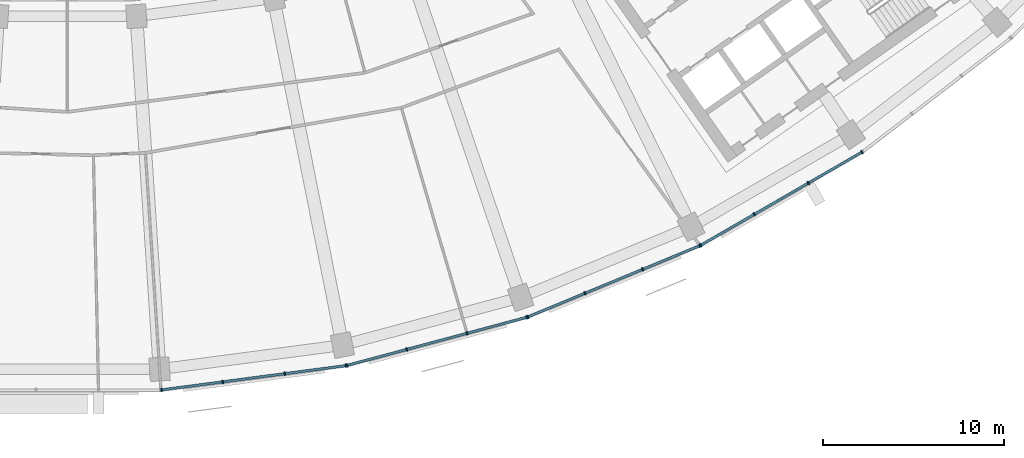
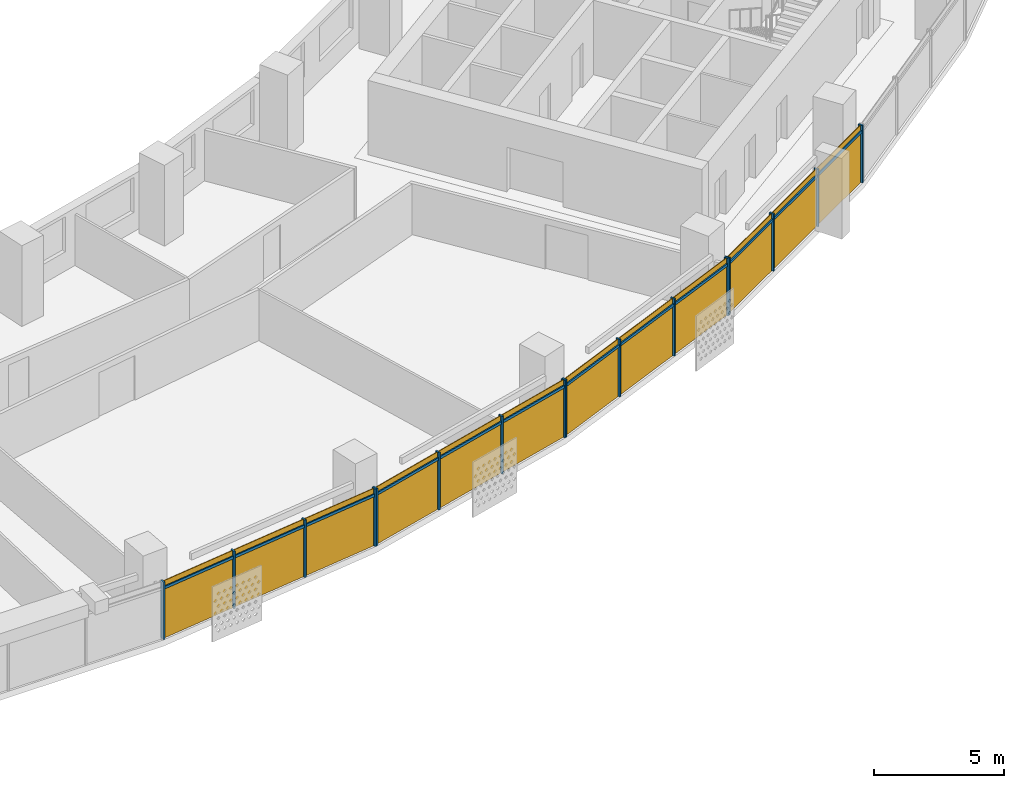
# One storey, part 20 of 27: 28 members, 4 curtain walls.
"""IFC4 building model written with IfcOpenShell, lengths in metres."""

from ifc_helpers import new_model, si_unit, direction, frame, origin, origin_2d, place, context, subcontext, project, spatial, rectangle, extrude, material, material_profile, profile_set, type_object, element, aggregate, save


model = new_model("IFC4")

# Units and contexts
model_context = context("Model", 3, precision=1e-05, world=origin(), true_north=direction((0.0, 1.0)))
body_context = subcontext(model_context, "Body", "Model", "MODEL_VIEW")
ifc_project = project(units=[si_unit("LENGTHUNIT", "METRE"), si_unit("AREAUNIT", "SQUARE_METRE"), si_unit("VOLUMEUNIT", "CUBIC_METRE"), si_unit("PLANEANGLEUNIT", "RADIAN"), si_unit("MASSUNIT", "GRAM", prefix="KILO")], contexts=[model_context])

# Member
ifc_material = material(Name="Aluminium 6063-T6 anodised", Category="aluminium")
ifc_material_profile_1 = material_profile(ifc_material, rectangle(XDim=0.199951171875, YDim=0.070068359375, at=origin_2d()))
ifc_profile_set_1 = profile_set([ifc_material_profile_1], Name="Aluminium 6063-T6 anodised")
member_type_1 = type_object("IfcMemberType", Name="Mullion 70 x 200 aluminium", PredefinedType="MULLION", material=ifc_profile_set_1)
site_placement = place(None, origin())
building_placement = place(site_placement, origin())
storey_placement = place(building_placement, frame((0.0, 0.0, 175.89990234375)))
member_1_placement = place(storey_placement, frame((5.1884765625, -78.72705078125, 0.0), z_axis=(0.0, 0.0, 1.0), x_axis=(-0.13052619222, 0.991444861374, 0.0)))
member_1 = element("IfcMember", 1, at=member_1_placement, type_object=member_type_1, Name="e-cw1-L41-out08/M00", PredefinedType="MULLION", context=body_context, shape_type="SweptSolid", body=[
    extrude(rectangle(XDim=0.199951171875, YDim=0.070068359375, at=origin_2d()), origin(), (0.0, 0.0, 1.0), 2.7001953125),
])

member_2_placement = place(storey_placement, frame((8.56884765625, -78.2822265625, 0.0), z_axis=(0.0, 0.0, 1.0), x_axis=(-0.13052619222, 0.991444861374, 0.0)))
member_2 = element("IfcMember", 2, at=member_2_placement, type_object=member_type_1, Name="e-cw1-L41-out08/M01", PredefinedType="MULLION", context=body_context, shape_type="SweptSolid", body=[
    extrude(rectangle(XDim=0.199951171875, YDim=0.070068359375, at=origin_2d()), origin(), (0.0, 0.0, 1.0), 2.7001953125),
])

member_3_placement = place(storey_placement, frame((11.98388671875, -77.83251953125, 0.0), z_axis=(0.0, 0.0, 1.0), x_axis=(-0.13052619222, 0.991444861374, 0.0)))
member_3 = element("IfcMember", 3, at=member_3_placement, type_object=member_type_1, Name="e-cw1-L41-out08/M02", PredefinedType="MULLION", context=body_context, shape_type="SweptSolid", body=[
    extrude(rectangle(XDim=0.199951171875, YDim=0.070068359375, at=origin_2d()), origin(), (0.0, 0.0, 1.0), 2.7001953125),
])

member_4_placement = place(storey_placement, frame((15.364501953125, -77.387451171875, 0.0), z_axis=(0.0, 0.0, 1.0), x_axis=(-0.13052619222, 0.991444861374, 0.0)))
member_4 = element("IfcMember", 4, at=member_4_placement, type_object=member_type_1, Name="e-cw1-L41-out08/M03", PredefinedType="MULLION", context=body_context, shape_type="SweptSolid", body=[
    extrude(rectangle(XDim=0.199951171875, YDim=0.070068359375, at=origin_2d()), origin(), (0.0, 0.0, 1.0), 2.7001953125),
])

member_5_placement = place(storey_placement, frame((15.420166015625, -77.37646484375, 0.0), z_axis=(0.0, 0.0, 1.0), x_axis=(-0.258819045103, 0.965925826289, 0.0)))
member_5 = element("IfcMember", 5, at=member_5_placement, type_object=member_type_1, Name="e-cw1-L41-out09/M00", PredefinedType="MULLION", context=body_context, shape_type="SweptSolid", body=[
    extrude(rectangle(XDim=0.199951171875, YDim=0.070068359375, at=origin_2d()), origin(), (0.0, 0.0, 1.0), 2.7001953125),
])

member_6_placement = place(storey_placement, frame((18.71337890625, -76.493896484375, 0.0), z_axis=(0.0, 0.0, 1.0), x_axis=(-0.258819045103, 0.965925826289, 0.0)))
member_6 = element("IfcMember", 6, at=member_6_placement, type_object=member_type_1, Name="e-cw1-L41-out09/M01", PredefinedType="MULLION", context=body_context, shape_type="SweptSolid", body=[
    extrude(rectangle(XDim=0.199951171875, YDim=0.070068359375, at=origin_2d()), origin(), (0.0, 0.0, 1.0), 2.7001953125),
])

member_7_placement = place(storey_placement, frame((22.04052734375, -75.602294921875, 0.0), z_axis=(0.0, 0.0, 1.0), x_axis=(-0.258819045103, 0.965925826289, 0.0)))
member_7 = element("IfcMember", 7, at=member_7_placement, type_object=member_type_1, Name="e-cw1-L41-out09/M02", PredefinedType="MULLION", context=body_context, shape_type="SweptSolid", body=[
    extrude(rectangle(XDim=0.199951171875, YDim=0.070068359375, at=origin_2d()), origin(), (0.0, 0.0, 1.0), 2.7001953125),
])

member_8_placement = place(storey_placement, frame((25.333984375, -74.719970703125, 0.0), z_axis=(0.0, 0.0, 1.0), x_axis=(-0.258819045103, 0.965925826289, 0.0)))
member_8 = element("IfcMember", 8, at=member_8_placement, type_object=member_type_1, Name="e-cw1-L41-out09/M03", PredefinedType="MULLION", context=body_context, shape_type="SweptSolid", body=[
    extrude(rectangle(XDim=0.199951171875, YDim=0.070068359375, at=origin_2d()), origin(), (0.0, 0.0, 1.0), 2.7001953125),
])

member_9_placement = place(storey_placement, frame((25.3876953125, -74.70166015625, 0.0), z_axis=(0.0, 0.0, 1.0), x_axis=(-0.382683432365, 0.923879532511, 0.0)))
member_9 = element("IfcMember", 9, at=member_9_placement, type_object=member_type_1, Name="e-cw1-L41-out10/M00", PredefinedType="MULLION", context=body_context, shape_type="SweptSolid", body=[
    extrude(rectangle(XDim=0.199951171875, YDim=0.070068359375, at=origin_2d()), origin(), (0.0, 0.0, 1.0), 2.7001953125),
])

member_10_placement = place(storey_placement, frame((28.537841796875, -73.39697265625, 0.0), z_axis=(0.0, 0.0, 1.0), x_axis=(-0.382683432365, 0.923879532511, 0.0)))
member_10 = element("IfcMember", 10, at=member_10_placement, type_object=member_type_1, Name="e-cw1-L41-out10/M01", PredefinedType="MULLION", context=body_context, shape_type="SweptSolid", body=[
    extrude(rectangle(XDim=0.199951171875, YDim=0.070068359375, at=origin_2d()), origin(), (0.0, 0.0, 1.0), 2.7001953125),
])

member_11_placement = place(storey_placement, frame((31.72021484375, -72.078857421875, 0.0), z_axis=(0.0, 0.0, 1.0), x_axis=(-0.382683432365, 0.923879532511, 0.0)))
member_11 = element("IfcMember", 11, at=member_11_placement, type_object=member_type_1, Name="e-cw1-L41-out10/M02", PredefinedType="MULLION", context=body_context, shape_type="SweptSolid", body=[
    extrude(rectangle(XDim=0.199951171875, YDim=0.070068359375, at=origin_2d()), origin(), (0.0, 0.0, 1.0), 2.7001953125),
])

member_12_placement = place(storey_placement, frame((34.8701171875, -70.77392578125, 0.0), z_axis=(0.0, 0.0, 1.0), x_axis=(-0.382683432365, 0.923879532511, 0.0)))
member_12 = element("IfcMember", 12, at=member_12_placement, type_object=member_type_1, Name="e-cw1-L41-out10/M03", PredefinedType="MULLION", context=body_context, shape_type="SweptSolid", body=[
    extrude(rectangle(XDim=0.199951171875, YDim=0.070068359375, at=origin_2d()), origin(), (0.0, 0.0, 1.0), 2.7001953125),
])

member_13_placement = place(storey_placement, frame((34.921142578125, -70.748779296875, 0.0), z_axis=(0.0, 0.0, 1.0), x_axis=(-0.5, 0.866025403784, 0.0)))
member_13 = element("IfcMember", 13, at=member_13_placement, type_object=member_type_1, Name="e-cw1-L41-out11/M00", PredefinedType="MULLION", context=body_context, shape_type="SweptSolid", body=[
    extrude(rectangle(XDim=0.199951171875, YDim=0.070068359375, at=origin_2d()), origin(), (0.0, 0.0, 1.0), 2.7001953125),
])

member_14_placement = place(storey_placement, frame((37.873779296875, -69.0439453125, 0.0), z_axis=(0.0, 0.0, 1.0), x_axis=(-0.5, 0.866025403784, 0.0)))
member_14 = element("IfcMember", 14, at=member_14_placement, type_object=member_type_1, Name="e-cw1-L41-out11/M01", PredefinedType="MULLION", context=body_context, shape_type="SweptSolid", body=[
    extrude(rectangle(XDim=0.199951171875, YDim=0.070068359375, at=origin_2d()), origin(), (0.0, 0.0, 1.0), 2.7001953125),
])

member_15_placement = place(storey_placement, frame((40.85693359375, -67.32177734375, 0.0), z_axis=(0.0, 0.0, 1.0), x_axis=(-0.5, 0.866025403784, 0.0)))
member_15 = element("IfcMember", 15, at=member_15_placement, type_object=member_type_1, Name="e-cw1-L41-out11/M02", PredefinedType="MULLION", context=body_context, shape_type="SweptSolid", body=[
    extrude(rectangle(XDim=0.199951171875, YDim=0.070068359375, at=origin_2d()), origin(), (0.0, 0.0, 1.0), 2.7001953125),
])

member_16_placement = place(storey_placement, frame((43.809814453125, -65.616943359375, 0.0), z_axis=(0.0, 0.0, 1.0), x_axis=(-0.5, 0.866025403784, 0.0)))
member_16 = element("IfcMember", 16, at=member_16_placement, type_object=member_type_1, Name="e-cw1-L41-out11/M03", PredefinedType="MULLION", context=body_context, shape_type="SweptSolid", body=[
    extrude(rectangle(XDim=0.199951171875, YDim=0.070068359375, at=origin_2d()), origin(), (0.0, 0.0, 1.0), 2.7001953125),
])

ifc_material_profile_2 = material_profile(ifc_material, rectangle(XDim=0.139892578125, YDim=0.1201171875, at=origin_2d()))
ifc_profile_set_2 = profile_set([ifc_material_profile_2], Name="Aluminium 6063-T6 anodised")
member_type_2 = type_object("IfcMemberType", Name="Transom 120 x 140 aluminium", PredefinedType="USERDEFINED", material=ifc_profile_set_2)
member_17_placement = place(storey_placement, frame((5.22314453125, -78.72265625, 2.400146484375), z_axis=(0.991439857731, 0.130564193033, 0.0), x_axis=(-0.130564193033, 0.991439857731, 0.0)))
member_17 = element("IfcMember", 17, at=member_17_placement, type_object=member_type_2, Name="e-cw1-L41-out08/T00", ObjectType="TRANSOM", PredefinedType="USERDEFINED", context=body_context, shape_type="SweptSolid", body=[
    extrude(rectangle(XDim=0.139892578125, YDim=0.1201171875, at=origin_2d()), origin(), (0.0, 0.0, 1.0), 3.339599609375),
])

member_18_placement = place(storey_placement, frame((8.603515625, -78.277587890625, 2.400146484375), z_axis=(0.991446413845, 0.130514399487, 0.0), x_axis=(-0.130514399487, 0.991446413845, 0.0)))
member_18 = element("IfcMember", 18, at=member_18_placement, type_object=member_type_2, Name="e-cw1-L41-out08/T01", ObjectType="TRANSOM", PredefinedType="USERDEFINED", context=body_context, shape_type="SweptSolid", body=[
    extrude(rectangle(XDim=0.139892578125, YDim=0.1201171875, at=origin_2d()), origin(), (0.0, 0.0, 1.0), 3.37451171875),
])

member_19_placement = place(storey_placement, frame((12.018798828125, -77.827880859375, 2.400146484375), z_axis=(0.991448073325, 0.130501792706, 0.0), x_axis=(-0.130501792706, 0.991448073325, 0.0)))
member_19 = element("IfcMember", 19, at=member_19_placement, type_object=member_type_2, Name="e-cw1-L41-out08/T02", ObjectType="TRANSOM", PredefinedType="USERDEFINED", context=body_context, shape_type="SweptSolid", body=[
    extrude(rectangle(XDim=0.139892578125, YDim=0.1201171875, at=origin_2d()), origin(), (0.0, 0.0, 1.0), 3.33935546875),
])

member_20_placement = place(storey_placement, frame((15.453857421875, -77.367431640625, 2.400146484375), z_axis=(0.96591509168, 0.258859103886, 0.0), x_axis=(-0.258859103886, 0.96591509168, 0.0)))
member_20 = element("IfcMember", 20, at=member_20_placement, type_object=member_type_2, Name="e-cw1-L41-out09/T00", ObjectType="TRANSOM", PredefinedType="USERDEFINED", context=body_context, shape_type="SweptSolid", body=[
    extrude(rectangle(XDim=0.139892578125, YDim=0.1201171875, at=origin_2d()), origin(), (0.0, 0.0, 1.0), 3.339599609375),
])

member_21_placement = place(storey_placement, frame((18.747314453125, -76.48486328125, 2.400146484375), z_axis=(0.965932873966, 0.258792741381, 0.0), x_axis=(-0.258792741381, 0.965932873966, 0.0)))
member_21 = element("IfcMember", 21, at=member_21_placement, type_object=member_type_2, Name="e-cw1-L41-out09/T01", ObjectType="TRANSOM", PredefinedType="USERDEFINED", context=body_context, shape_type="SweptSolid", body=[
    extrude(rectangle(XDim=0.139892578125, YDim=0.1201171875, at=origin_2d()), origin(), (0.0, 0.0, 1.0), 3.37451171875),
])

member_22_placement = place(storey_placement, frame((22.074462890625, -75.59326171875, 2.400146484375), z_axis=(0.965933368091, 0.258790897074, 0.0), x_axis=(-0.258790897074, 0.965933368091, 0.0)))
member_22 = element("IfcMember", 22, at=member_22_placement, type_object=member_type_2, Name="e-cw1-L41-out09/T02", ObjectType="TRANSOM", PredefinedType="USERDEFINED", context=body_context, shape_type="SweptSolid", body=[
    extrude(rectangle(XDim=0.139892578125, YDim=0.1201171875, at=origin_2d()), origin(), (0.0, 0.0, 1.0), 3.339599609375),
])

member_23_placement = place(storey_placement, frame((25.420166015625, -74.688232421875, 2.400146484375), z_axis=(0.923890305385, 0.382657423311, 0.0), x_axis=(-0.382657423311, 0.923890305385, 0.0)))
member_23 = element("IfcMember", 23, at=member_23_placement, type_object=member_type_2, Name="e-cw1-L41-out10/T00", ObjectType="TRANSOM", PredefinedType="USERDEFINED", context=body_context, shape_type="SweptSolid", body=[
    extrude(rectangle(XDim=0.139892578125, YDim=0.1201171875, at=origin_2d()), origin(), (0.0, 0.0, 1.0), 3.33935546875),
])

member_24_placement = place(storey_placement, frame((28.570068359375, -73.383544921875, 2.400146484375), z_axis=(0.923866926753, 0.382713863941, 0.0), x_axis=(-0.382713863941, 0.923866926753, 0.0)))
member_24 = element("IfcMember", 24, at=member_24_placement, type_object=member_type_2, Name="e-cw1-L41-out10/T01", ObjectType="TRANSOM", PredefinedType="USERDEFINED", context=body_context, shape_type="SweptSolid", body=[
    extrude(rectangle(XDim=0.139892578125, YDim=0.1201171875, at=origin_2d()), origin(), (0.0, 0.0, 1.0), 3.37451171875),
])

member_25_placement = place(storey_placement, frame((31.75244140625, -72.0654296875, 2.400146484375), z_axis=(0.923875164544, 0.382693977401, 0.0), x_axis=(-0.382693977401, 0.923875164544, 0.0)))
member_25 = element("IfcMember", 25, at=member_25_placement, type_object=member_type_2, Name="e-cw1-L41-out10/T02", ObjectType="TRANSOM", PredefinedType="USERDEFINED", context=body_context, shape_type="SweptSolid", body=[
    extrude(rectangle(XDim=0.139892578125, YDim=0.1201171875, at=origin_2d()), origin(), (0.0, 0.0, 1.0), 3.339599609375),
])

member_26_placement = place(storey_placement, frame((34.951416015625, -70.7314453125, 2.400146484375), z_axis=(0.866002968352, 0.500038857296, 0.0), x_axis=(-0.500038857296, 0.866002968352, 0.0)))
member_26 = element("IfcMember", 26, at=member_26_placement, type_object=member_type_2, Name="e-cw1-L41-out11/T00", ObjectType="TRANSOM", PredefinedType="USERDEFINED", context=body_context, shape_type="SweptSolid", body=[
    extrude(rectangle(XDim=0.139892578125, YDim=0.1201171875, at=origin_2d()), origin(), (0.0, 0.0, 1.0), 3.339599609375),
])

member_27_placement = place(storey_placement, frame((37.904296875, -69.026611328125, 2.400146484375), z_axis=(0.86602172966, 0.500006363716, 0.0), x_axis=(-0.500006363716, 0.86602172966, 0.0)))
member_27 = element("IfcMember", 27, at=member_27_placement, type_object=member_type_2, Name="e-cw1-L41-out11/T01", ObjectType="TRANSOM", PredefinedType="USERDEFINED", context=body_context, shape_type="SweptSolid", body=[
    extrude(rectangle(XDim=0.139892578125, YDim=0.1201171875, at=origin_2d()), origin(), (0.0, 0.0, 1.0), 3.37451171875),
])

member_28_placement = place(storey_placement, frame((40.88720703125, -67.30419921875, 2.400146484375), z_axis=(0.866052898888, 0.49995237406, 0.0), x_axis=(-0.49995237406, 0.866052898888, 0.0)))
member_28 = element("IfcMember", 28, at=member_28_placement, type_object=member_type_2, Name="e-cw1-L41-out11/T02", ObjectType="TRANSOM", PredefinedType="USERDEFINED", context=body_context, shape_type="SweptSolid", body=[
    extrude(rectangle(XDim=0.139892578125, YDim=0.1201171875, at=origin_2d()), origin(), (0.0, 0.0, 1.0), 3.339599609375),
])

# Site, building, storey
site = spatial("IfcSite", under=ifc_project, at=site_placement, CompositionType="ELEMENT")
building = spatial("IfcBuilding", under=site, at=building_placement, Name="Qamariyya Broadcast Tower", CompositionType="ELEMENT")
storey = spatial("IfcBuildingStorey", under=building, at=storey_placement, Name="L41", CompositionType="ELEMENT", Elevation=175.89990234375)

# Curtain wall
curtain_wall_type = type_object("IfcCurtainWallType", Name="Unitised curtain wall, anodised aluminium", PredefinedType="NOTDEFINED", material=ifc_material)
curtain_wall_1_placement = place(storey_placement, origin())
curtain_wall_1 = element("IfcCurtainWall", 29, at=curtain_wall_1_placement, inside=storey, type_object=curtain_wall_type, Name="e-cw1-L41-out08", PredefinedType="NOTDEFINED", context=body_context, shape_type="SweptSolid", body=[
    extrude(rectangle(XDim=3.339599609375, YDim=0.031982421875, at=origin_2d()), frame((6.878662109375, -78.504638671875, 0.0), x_axis=(0.991444240905, 0.130530905064, 0.0)), (0.0, 0.0, 1.0), 2.340087890625),
    extrude(rectangle(XDim=3.339599609375, YDim=0.031982421875, at=origin_2d()), frame((6.878662109375, -78.504638671875, 2.460205078125), x_axis=(0.991444240905, 0.130530905064, 0.0)), (0.0, 0.0, 1.0), 0.239990234375),
    extrude(rectangle(XDim=3.37451171875, YDim=0.031982421875, at=origin_2d()), frame((10.2763671875, -78.05712890625, 0.0), x_axis=(0.991444240905, 0.130530905064, 0.0)), (0.0, 0.0, 1.0), 2.340087890625),
    extrude(rectangle(XDim=3.37451171875, YDim=0.031982421875, at=origin_2d()), frame((10.2763671875, -78.05712890625, 2.460205078125), x_axis=(0.991444240905, 0.130530905064, 0.0)), (0.0, 0.0, 1.0), 0.239990234375),
    extrude(rectangle(XDim=3.339599609375, YDim=0.031982421875, at=origin_2d()), frame((13.67431640625, -77.60986328125, 0.0), x_axis=(0.991444240905, 0.130530905064, 0.0)), (0.0, 0.0, 1.0), 2.340087890625),
    extrude(rectangle(XDim=3.339599609375, YDim=0.031982421875, at=origin_2d()), frame((13.67431640625, -77.60986328125, 2.460205078125), x_axis=(0.991444240905, 0.130530905064, 0.0)), (0.0, 0.0, 1.0), 0.239990234375),
])

aggregate(curtain_wall_1, [member_1, member_2, member_3, member_4, member_17, member_18, member_19])

curtain_wall_2_placement = place(storey_placement, origin())
curtain_wall_2 = element("IfcCurtainWall", 30, at=curtain_wall_2_placement, inside=storey, type_object=curtain_wall_type, Name="e-cw1-L41-out09", PredefinedType="NOTDEFINED", context=body_context, shape_type="SweptSolid", body=[
    extrude(rectangle(XDim=3.339599609375, YDim=0.031982421875, at=origin_2d()), frame((17.066650390625, -76.935302734375, 0.0), x_axis=(0.965926433062, 0.258816780584, 0.0)), (0.0, 0.0, 1.0), 2.340087890625),
    extrude(rectangle(XDim=3.339599609375, YDim=0.031982421875, at=origin_2d()), frame((17.066650390625, -76.935302734375, 2.460205078125), x_axis=(0.965926433062, 0.258816780584, 0.0)), (0.0, 0.0, 1.0), 0.239990234375),
    extrude(rectangle(XDim=3.37451171875, YDim=0.031982421875, at=origin_2d()), frame((20.376953125, -76.04833984375, 0.0), x_axis=(0.965926433062, 0.258816780584, 0.0)), (0.0, 0.0, 1.0), 2.340087890625),
    extrude(rectangle(XDim=3.37451171875, YDim=0.031982421875, at=origin_2d()), frame((20.376953125, -76.04833984375, 2.460205078125), x_axis=(0.965926433062, 0.258816780584, 0.0)), (0.0, 0.0, 1.0), 0.239990234375),
    extrude(rectangle(XDim=3.339599609375, YDim=0.031982421875, at=origin_2d()), frame((23.6875, -75.1611328125, 0.0), x_axis=(0.965926433062, 0.258816780584, 0.0)), (0.0, 0.0, 1.0), 2.340087890625),
    extrude(rectangle(XDim=3.339599609375, YDim=0.031982421875, at=origin_2d()), frame((23.6875, -75.1611328125, 2.460205078125), x_axis=(0.965926433062, 0.258816780584, 0.0)), (0.0, 0.0, 1.0), 0.239990234375),
])

aggregate(curtain_wall_2, [member_5, member_6, member_7, member_8, member_20, member_21, member_22])

curtain_wall_3_placement = place(storey_placement, origin())
curtain_wall_3 = element("IfcCurtainWall", 31, at=curtain_wall_3_placement, inside=storey, type_object=curtain_wall_type, Name="e-cw1-L41-out10", PredefinedType="NOTDEFINED", context=body_context, shape_type="SweptSolid", body=[
    extrude(rectangle(XDim=3.339599609375, YDim=0.031982421875, at=origin_2d()), frame((26.962890625, -74.04931640625, 0.0), x_axis=(0.923878040314, 0.382687034829, 0.0)), (0.0, 0.0, 1.0), 2.340087890625),
    extrude(rectangle(XDim=3.339599609375, YDim=0.031982421875, at=origin_2d()), frame((26.962890625, -74.04931640625, 2.460205078125), x_axis=(0.923878040314, 0.382687034829, 0.0)), (0.0, 0.0, 1.0), 0.239990234375),
    extrude(rectangle(XDim=3.37451171875, YDim=0.031982421875, at=origin_2d()), frame((30.12890625, -72.73779296875, 0.0), x_axis=(0.923878040314, 0.382687034829, 0.0)), (0.0, 0.0, 1.0), 2.340087890625),
    extrude(rectangle(XDim=3.37451171875, YDim=0.031982421875, at=origin_2d()), frame((30.12890625, -72.73779296875, 2.460205078125), x_axis=(0.923878040314, 0.382687034829, 0.0)), (0.0, 0.0, 1.0), 0.239990234375),
    extrude(rectangle(XDim=3.339599609375, YDim=0.031982421875, at=origin_2d()), frame((33.295166015625, -71.42626953125, 0.0), x_axis=(0.923878040314, 0.382687034829, 0.0)), (0.0, 0.0, 1.0), 2.340087890625),
    extrude(rectangle(XDim=3.339599609375, YDim=0.031982421875, at=origin_2d()), frame((33.295166015625, -71.42626953125, 2.460205078125), x_axis=(0.923878040314, 0.382687034829, 0.0)), (0.0, 0.0, 1.0), 0.239990234375),
])

aggregate(curtain_wall_3, [member_9, member_10, member_11, member_12, member_23, member_24, member_25])

curtain_wall_4_placement = place(storey_placement, origin())
curtain_wall_4 = element("IfcCurtainWall", 32, at=curtain_wall_4_placement, inside=storey, type_object=curtain_wall_type, Name="e-cw1-L41-out11", PredefinedType="NOTDEFINED", context=body_context, shape_type="SweptSolid", body=[
    extrude(rectangle(XDim=3.339599609375, YDim=0.031982421875, at=origin_2d()), frame((36.3974609375, -69.896484375, 0.0), x_axis=(0.866028999376, 0.499993772201, 0.0)), (0.0, 0.0, 1.0), 2.340087890625),
    extrude(rectangle(XDim=3.339599609375, YDim=0.031982421875, at=origin_2d()), frame((36.3974609375, -69.896484375, 2.460205078125), x_axis=(0.866028999376, 0.499993772201, 0.0)), (0.0, 0.0, 1.0), 0.239990234375),
    extrude(rectangle(XDim=3.37451171875, YDim=0.031982421875, at=origin_2d()), frame((39.365478515625, -68.18310546875, 0.0), x_axis=(0.866028999376, 0.499993772201, 0.0)), (0.0, 0.0, 1.0), 2.340087890625),
    extrude(rectangle(XDim=3.37451171875, YDim=0.031982421875, at=origin_2d()), frame((39.365478515625, -68.18310546875, 2.460205078125), x_axis=(0.866028999376, 0.499993772201, 0.0)), (0.0, 0.0, 1.0), 0.239990234375),
    extrude(rectangle(XDim=3.339599609375, YDim=0.031982421875, at=origin_2d()), frame((42.33349609375, -66.469482421875, 0.0), x_axis=(0.866028999376, 0.499993772201, 0.0)), (0.0, 0.0, 1.0), 2.340087890625),
    extrude(rectangle(XDim=3.339599609375, YDim=0.031982421875, at=origin_2d()), frame((42.33349609375, -66.469482421875, 2.460205078125), x_axis=(0.866028999376, 0.499993772201, 0.0)), (0.0, 0.0, 1.0), 0.239990234375),
])

aggregate(curtain_wall_4, [member_13, member_14, member_15, member_16, member_26, member_27, member_28])

save(model, "model.ifc")
